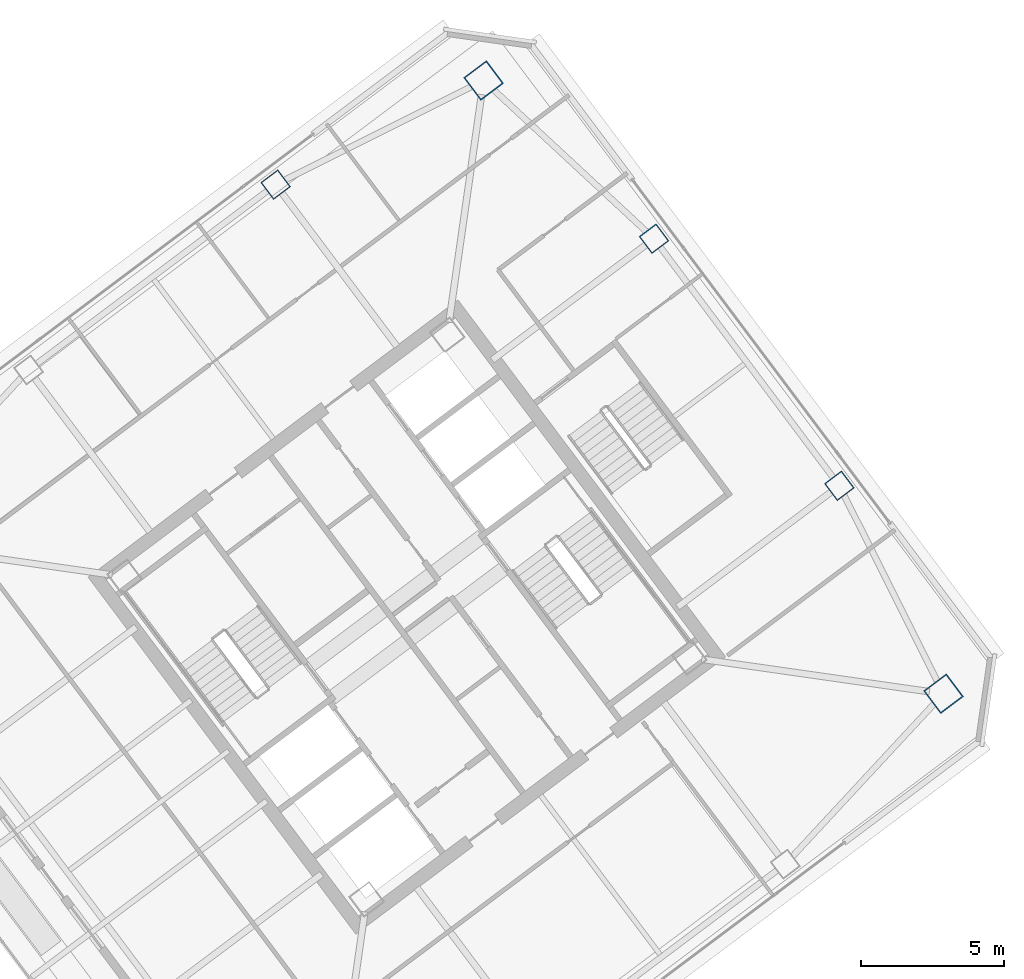
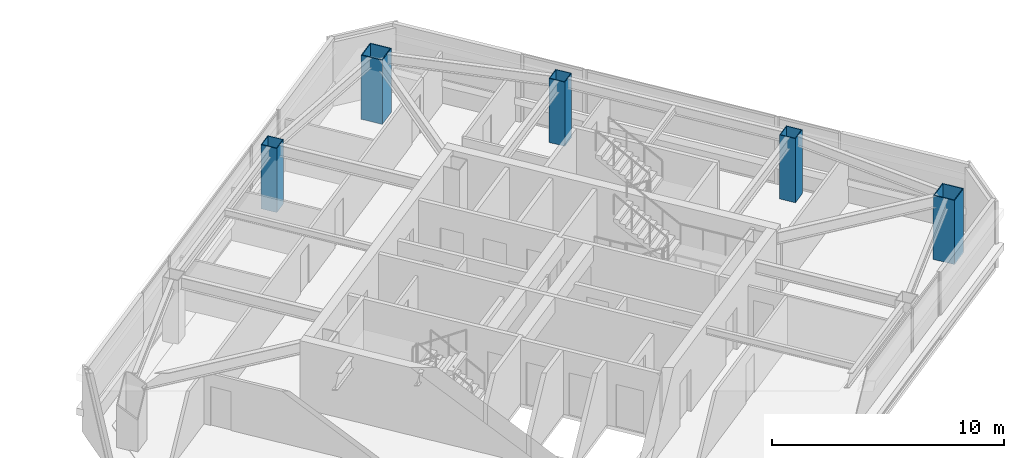
# One storey, part 2 of 40: 5 columns.
"""IFC4 building model written with IfcOpenShell, lengths in metres."""

from ifc_helpers import new_model, si_unit, direction, frame, origin, origin_2d, place, context, subcontext, project, spatial, hollow_rectangle, extrude, material, material_profile, profile_set, type_object, element, save


model = new_model("IFC4")

# Units and contexts
model_context = context("Model", 3, precision=1e-05, world=origin(), true_north=direction((0.0, 1.0)))
body_context = subcontext(model_context, "Body", "Model", "MODEL_VIEW")
ifc_project = project(units=[si_unit("LENGTHUNIT", "METRE"), si_unit("AREAUNIT", "SQUARE_METRE"), si_unit("VOLUMEUNIT", "CUBIC_METRE"), si_unit("PLANEANGLEUNIT", "RADIAN"), si_unit("MASSUNIT", "GRAM", prefix="KILO")], contexts=[model_context])

# Site, building, storey
site_placement = place(None, origin())
site = spatial("IfcSite", under=ifc_project, at=site_placement, CompositionType="ELEMENT")
building_placement = place(site_placement, origin())
building = spatial("IfcBuilding", under=site, at=building_placement, Name="Tashvorn Skyway Center", CompositionType="ELEMENT")
storey_placement = place(building_placement, frame((0.0, 0.0, 221.949951171875)))
storey = spatial("IfcBuildingStorey", under=building, at=storey_placement, Name="L60", CompositionType="ELEMENT", Elevation=221.949951171875)

# Columns
ifc_material = material(Name="Steel ASTM A572 Grade 50", Category="steel")
ifc_material_profile_1 = material_profile(ifc_material, hollow_rectangle(XDim=1.0, YDim=1.0, WallThickness=0.0400390625, at=origin_2d()), Name="BOX1000x1000x40")
ifc_profile_set_1 = profile_set([ifc_material_profile_1], Name="Steel ASTM A572 Grade 50")
column_type_1 = type_object("IfcColumnType", Name="COL-BOX1000x1000x40", PredefinedType="COLUMN", material=ifc_profile_set_1)
for number, where, z_axis, x_axis, name in (
    (1, (132.760009765625, 29.320068359375, 0.0), (0.0, 0.0, 1.0), (0.799999996291, 0.600000004945, 0.0), "Tower 2 L60 Mega-Column MC-SE"),
    (2, (116.679931640625, 50.760009765625, 0.0), (0.0, 0.0, 1.0), (0.799999996291, 0.600000004945, 0.0), "Tower 2 L60 Mega-Column MC-NE"),
):
    element("IfcColumn", number, at=place(storey_placement, frame(where, z_axis=z_axis, x_axis=x_axis)), inside=storey, type_object=column_type_1, Name=name, PredefinedType="COLUMN", context=body_context, shape_type="SweptSolid", body=[
        extrude(hollow_rectangle(XDim=1.0, YDim=1.0, WallThickness=0.0400390625, at=origin_2d()), origin(), (0.0, 0.0, 1.0), 3.3701171875),
    ])
ifc_material_profile_2 = material_profile(ifc_material, hollow_rectangle(XDim=0.75, YDim=0.75, WallThickness=0.031982421875, at=origin_2d()), Name="BOX750x750x32")
ifc_profile_set_2 = profile_set([ifc_material_profile_2], Name="Steel ASTM A572 Grade 50")
column_type_2 = type_object("IfcColumnType", Name="COL-BOX750x750x32", PredefinedType="COLUMN", material=ifc_profile_set_2)
for number, where, z_axis, x_axis, name in (
    (3, (129.1201171875, 36.590087890625, 0.0), (0.0, 0.0, 1.0), (0.799999996291, 0.600000004945, 0.0), "Tower 2 L60 Perimeter Column FC-E1"),
    (4, (122.639892578125, 45.22998046875, 0.0), (0.0, 0.0, 1.0), (0.799999996291, 0.600000004945, 0.0), "Tower 2 L60 Perimeter Column FC-E2"),
    (5, (109.409912109375, 47.1201171875, 0.0), (0.0, 0.0, 1.0), (0.799999996291, 0.600000004945, 0.0), "Tower 2 L60 Perimeter Column FC-N1"),
):
    element("IfcColumn", number, at=place(storey_placement, frame(where, z_axis=z_axis, x_axis=x_axis)), inside=storey, type_object=column_type_2, Name=name, PredefinedType="COLUMN", context=body_context, shape_type="SweptSolid", body=[
        extrude(hollow_rectangle(XDim=0.75, YDim=0.75, WallThickness=0.031982421875, at=origin_2d()), origin(), (0.0, 0.0, 1.0), 3.3701171875),
    ])

save(model, "model.ifc")
